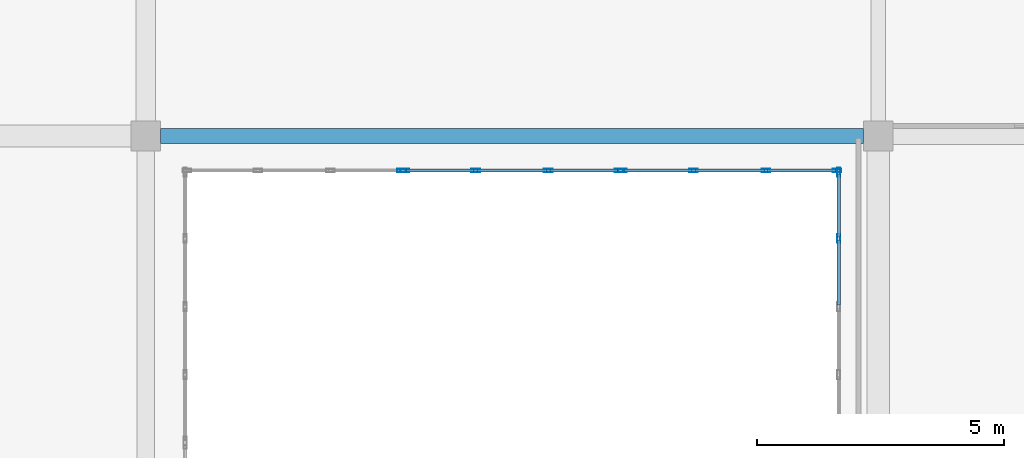
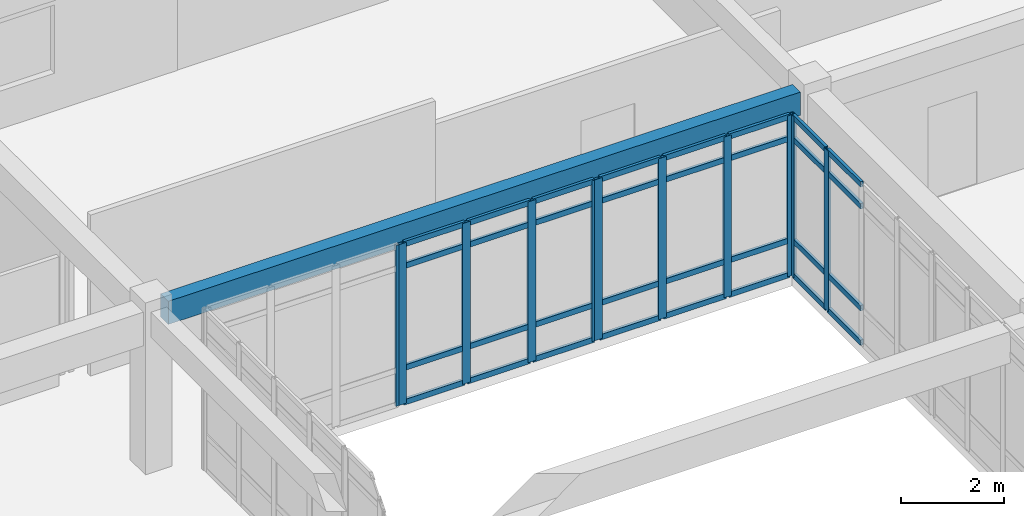
# One storey, part 103 of 146: 43 members, 1 beam, 4 elements without a shape of their own.
"""IFC4 building model written with IfcOpenShell, lengths in metres."""

from ifc_helpers import new_model, si_unit, direction, frame, origin, origin_2d, place, context, subcontext, project, spatial, rectangle, hollow_rectangle, extrude, material, layer, layer_set, material_profile, profile_set, type_object, element, aggregate, save


model = new_model("IFC4")

# Units and contexts
model_context = context("Model", 3, precision=1e-05, world=origin(), true_north=direction((0.0, 1.0)))
body_context = subcontext(model_context, "Body", "Model", "MODEL_VIEW")
ifc_project = project(units=[si_unit("LENGTHUNIT", "METRE"), si_unit("AREAUNIT", "SQUARE_METRE"), si_unit("VOLUMEUNIT", "CUBIC_METRE"), si_unit("PLANEANGLEUNIT", "RADIAN"), si_unit("MASSUNIT", "GRAM", prefix="KILO")], contexts=[model_context])

# Site, building, storey
site_placement = place(None, origin())
site = spatial("IfcSite", under=ifc_project, at=site_placement, CompositionType="ELEMENT")
building_placement = place(site_placement, origin())
building = spatial("IfcBuilding", under=site, at=building_placement, Name="Valcora Specialist Clinic", CompositionType="ELEMENT")
storey_placement = place(building_placement, frame((0.0, 0.0, 9.52001953125)))
storey = spatial("IfcBuildingStorey", under=building, at=storey_placement, Name="L02", CompositionType="ELEMENT", Elevation=9.52001953125)

# Beam
ifc_material_1 = material(Name="Concrete C40/50", Category="concrete")
ifc_material_profile_1 = material_profile(ifc_material_1, rectangle(XDim=0.300048828125, YDim=0.550048828125, at=origin_2d()), Name="RC-BM-300X550")
ifc_profile_set_1 = profile_set([ifc_material_profile_1], Name="Concrete C40/50")
beam_type = type_object("IfcBeamType", Name="TY-BM-RC300X550", PredefinedType="BEAM", material=ifc_profile_set_1)
beam_placement = place(storey_placement, frame((76.300048828125, 99.199951171875, 3.544921875), z_axis=(1.0, 0.0, 0.0), x_axis=(0.0, 1.0, 0.0)))
element("IfcBeam", 1, at=beam_placement, inside=storey, type_object=beam_type, Name="Beam BM-L02-0721", PredefinedType="BEAM", context=body_context, shape_type="SweptSolid", body=[
    extrude(rectangle(XDim=0.300048828125, YDim=0.550048828125, at=origin_2d()), origin(), (0.0, 0.0, 1.0), 14.199951171875),
])

# Curtain wall, members
ifc_material_2 = material(Name="Anodized Bronze Aluminium 6063-T6", Category="aluminium")
ifc_layer = layer(ifc_material_2, 0.175048828125)
ifc_layer_set = layer_set([ifc_layer], Name="Anodized Bronze Aluminium 6063-T6")
curtain_wall_type = type_object("IfcCurtainWallType", Name="TY-CW-CRT15", PredefinedType="NOTDEFINED", material=ifc_layer_set)
curtain_wall_1_placement = place(storey_placement, origin())
curtain_wall_1 = element("IfcCurtainWall", 2, at=curtain_wall_1_placement, inside=storey, type_object=curtain_wall_type, Name="Curtain wall CW-L02-098", PredefinedType="NOTDEFINED")
ifc_material_profile_2 = material_profile(ifc_material_2, hollow_rectangle(XDim=0.06494140625, YDim=0.175048828125, WallThickness=0.00390625, at=origin_2d()), Name="AL-MUL-65X175")
ifc_profile_set_2 = profile_set([ifc_material_profile_2], Name="Anodized Bronze Aluminium 6063-T6")
member_type_1 = type_object("IfcMemberType", Name="TY-CWM-65X175", PredefinedType="MULLION", material=ifc_profile_set_2)
member_1_placement = place(storey_placement, frame((90.0, 97.125, 0.0), z_axis=(0.0, 0.0, 1.0), x_axis=(-1.0, 0.0, 0.0)))
member_1 = element("IfcMember", 3, at=member_1_placement, type_object=member_type_1, Name="CW-CRT-15 mullion 4", PredefinedType="MULLION", context=body_context, shape_type="SweptSolid", body=[
    extrude(hollow_rectangle(XDim=0.06494140625, YDim=0.175048828125, WallThickness=0.00390625, at=origin_2d()), origin(), (0.0, 0.0, 1.0), 3.820068359375),
])
member_2_placement = place(storey_placement, frame((90.0, 98.467529296875, 0.0), z_axis=(0.0, 0.0, 1.0), x_axis=(-1.0, 0.0, 0.0)))
member_2 = element("IfcMember", 4, at=member_2_placement, type_object=member_type_1, Name="CW-CRT-15 mullion 5", PredefinedType="MULLION", context=body_context, shape_type="SweptSolid", body=[
    extrude(hollow_rectangle(XDim=0.06494140625, YDim=0.175048828125, WallThickness=0.00390625, at=origin_2d()), origin(), (0.0, 0.0, 1.0), 3.820068359375),
])

curtain_wall_2_placement = place(storey_placement, origin())
curtain_wall_2 = element("IfcCurtainWall", 5, at=curtain_wall_2_placement, inside=storey, type_object=curtain_wall_type, Name="Curtain wall CW-L02-099", PredefinedType="NOTDEFINED")
member_3_placement = place(storey_placement, frame((89.967529296875, 98.5, 0.0), z_axis=(0.0, 0.0, 1.0), x_axis=(0.0, -1.0, 0.0)))
member_3 = element("IfcMember", 6, at=member_3_placement, type_object=member_type_1, Name="CW-CRT-15 mullion 1", PredefinedType="MULLION", context=body_context, shape_type="SweptSolid", body=[
    extrude(hollow_rectangle(XDim=0.06494140625, YDim=0.175048828125, WallThickness=0.00390625, at=origin_2d()), origin(), (0.0, 0.0, 1.0), 3.820068359375),
])
member_4_placement = place(storey_placement, frame((88.533447265625, 98.5, 0.0), z_axis=(0.0, 0.0, 1.0), x_axis=(0.0, -1.0, 0.0)))
member_4 = element("IfcMember", 7, at=member_4_placement, type_object=member_type_1, Name="CW-CRT-15 mullion 2", PredefinedType="MULLION", context=body_context, shape_type="SweptSolid", body=[
    extrude(hollow_rectangle(XDim=0.06494140625, YDim=0.175048828125, WallThickness=0.00390625, at=origin_2d()), origin(), (0.0, 0.0, 1.0), 3.820068359375),
])
member_5_placement = place(storey_placement, frame((87.066650390625, 98.5, 0.0), z_axis=(0.0, 0.0, 1.0), x_axis=(0.0, -1.0, 0.0)))
member_5 = element("IfcMember", 8, at=member_5_placement, type_object=member_type_1, Name="CW-CRT-15 mullion 3", PredefinedType="MULLION", context=body_context, shape_type="SweptSolid", body=[
    extrude(hollow_rectangle(XDim=0.06494140625, YDim=0.175048828125, WallThickness=0.00390625, at=origin_2d()), origin(), (0.0, 0.0, 1.0), 3.820068359375),
])
member_6_placement = place(storey_placement, frame((85.632568359375, 98.5, 0.0), z_axis=(0.0, 0.0, 1.0), x_axis=(0.0, -1.0, 0.0)))
member_6 = element("IfcMember", 9, at=member_6_placement, type_object=member_type_1, Name="CW-CRT-15 mullion 4", PredefinedType="MULLION", context=body_context, shape_type="SweptSolid", body=[
    extrude(hollow_rectangle(XDim=0.06494140625, YDim=0.175048828125, WallThickness=0.00390625, at=origin_2d()), origin(), (0.0, 0.0, 1.0), 3.820068359375),
])

curtain_wall_3_placement = place(storey_placement, origin())
curtain_wall_3 = element("IfcCurtainWall", 10, at=curtain_wall_3_placement, inside=storey, type_object=curtain_wall_type, Name="Curtain wall CW-L02-100", PredefinedType="NOTDEFINED")
member_7_placement = place(storey_placement, frame((85.5673828125, 98.5, 0.0), z_axis=(0.0, 0.0, 1.0), x_axis=(0.0, -1.0, 0.0)))
member_7 = element("IfcMember", 11, at=member_7_placement, type_object=member_type_1, Name="CW-CRT-15 mullion 1", PredefinedType="MULLION", context=body_context, shape_type="SweptSolid", body=[
    extrude(hollow_rectangle(XDim=0.06494140625, YDim=0.175048828125, WallThickness=0.00390625, at=origin_2d()), origin(), (0.0, 0.0, 1.0), 3.820068359375),
])
member_8_placement = place(storey_placement, frame((84.13330078125, 98.5, 0.0), z_axis=(0.0, 0.0, 1.0), x_axis=(0.0, -1.0, 0.0)))
member_8 = element("IfcMember", 12, at=member_8_placement, type_object=member_type_1, Name="CW-CRT-15 mullion 2", PredefinedType="MULLION", context=body_context, shape_type="SweptSolid", body=[
    extrude(hollow_rectangle(XDim=0.06494140625, YDim=0.175048828125, WallThickness=0.00390625, at=origin_2d()), origin(), (0.0, 0.0, 1.0), 3.820068359375),
])
member_9_placement = place(storey_placement, frame((82.666748046875, 98.5, 0.0), z_axis=(0.0, 0.0, 1.0), x_axis=(0.0, -1.0, 0.0)))
member_9 = element("IfcMember", 13, at=member_9_placement, type_object=member_type_1, Name="CW-CRT-15 mullion 3", PredefinedType="MULLION", context=body_context, shape_type="SweptSolid", body=[
    extrude(hollow_rectangle(XDim=0.06494140625, YDim=0.175048828125, WallThickness=0.00390625, at=origin_2d()), origin(), (0.0, 0.0, 1.0), 3.820068359375),
])
member_10_placement = place(storey_placement, frame((81.232421875, 98.5, 0.0), z_axis=(0.0, 0.0, 1.0), x_axis=(0.0, -1.0, 0.0)))
member_10 = element("IfcMember", 14, at=member_10_placement, type_object=member_type_1, Name="CW-CRT-15 mullion 4", PredefinedType="MULLION", context=body_context, shape_type="SweptSolid", body=[
    extrude(hollow_rectangle(XDim=0.06494140625, YDim=0.175048828125, WallThickness=0.00390625, at=origin_2d()), origin(), (0.0, 0.0, 1.0), 3.820068359375),
])

# Curtain wall, member
curtain_wall_4_placement = place(storey_placement, origin())
curtain_wall_4 = element("IfcCurtainWall", 15, at=curtain_wall_4_placement, inside=storey, type_object=curtain_wall_type, Name="Curtain wall CW-L02-101", PredefinedType="NOTDEFINED")
member_11_placement = place(storey_placement, frame((81.16748046875, 98.5, 0.0), z_axis=(0.0, 0.0, 1.0), x_axis=(0.0, -1.0, 0.0)))
member_11 = element("IfcMember", 16, at=member_11_placement, type_object=member_type_1, Name="CW-CRT-15 mullion 1", PredefinedType="MULLION", context=body_context, shape_type="SweptSolid", body=[
    extrude(hollow_rectangle(XDim=0.06494140625, YDim=0.175048828125, WallThickness=0.00390625, at=origin_2d()), origin(), (0.0, 0.0, 1.0), 3.820068359375),
])
aggregate(curtain_wall_4, [member_11])

# Member
ifc_material_profile_3 = material_profile(ifc_material_2, hollow_rectangle(XDim=0.06494140625, YDim=0.1298828125, WallThickness=0.00390625, at=origin_2d()), Name="AL-TRN-65X130")
ifc_profile_set_3 = profile_set([ifc_material_profile_3], Name="Anodized Bronze Aluminium 6063-T6")
member_type_2 = type_object("IfcMemberType", Name="TY-CWT-65X130", PredefinedType="USERDEFINED", material=ifc_profile_set_3)
member_12_placement = place(storey_placement, frame((90.0, 95.782470703125, 0.032470703125), z_axis=(0.0, 1.0, 0.0), x_axis=(-1.0, 0.0, 0.0)))
member_12 = element("IfcMember", 17, at=member_12_placement, type_object=member_type_2, Name="CW-CRT-15 transom 3.1", ObjectType="TRANSOM", PredefinedType="USERDEFINED", context=body_context, shape_type="SweptSolid", body=[
    extrude(hollow_rectangle(XDim=0.06494140625, YDim=0.1298828125, WallThickness=0.00390625, at=origin_2d()), origin(), (0.0, 0.0, 1.0), 1.31005859375),
])

member_13_placement = place(storey_placement, frame((90.0, 95.782470703125, 0.85009765625), z_axis=(0.0, 1.0, 0.0), x_axis=(-1.0, 0.0, 0.0)))
member_13 = element("IfcMember", 18, at=member_13_placement, type_object=member_type_2, Name="CW-CRT-15 transom 3.2", ObjectType="TRANSOM", PredefinedType="USERDEFINED", context=body_context, shape_type="SweptSolid", body=[
    extrude(hollow_rectangle(XDim=0.06494140625, YDim=0.1298828125, WallThickness=0.00390625, at=origin_2d()), origin(), (0.0, 0.0, 1.0), 1.31005859375),
])

member_14_placement = place(storey_placement, frame((90.0, 95.782470703125, 3.27001953125), z_axis=(0.0, 1.0, 0.0), x_axis=(-1.0, 0.0, 0.0)))
member_14 = element("IfcMember", 19, at=member_14_placement, type_object=member_type_2, Name="CW-CRT-15 transom 3.3", ObjectType="TRANSOM", PredefinedType="USERDEFINED", context=body_context, shape_type="SweptSolid", body=[
    extrude(hollow_rectangle(XDim=0.06494140625, YDim=0.1298828125, WallThickness=0.00390625, at=origin_2d()), origin(), (0.0, 0.0, 1.0), 1.31005859375),
])

member_15_placement = place(storey_placement, frame((90.0, 95.782470703125, 3.78759765625), z_axis=(0.0, 1.0, 0.0), x_axis=(-1.0, 0.0, 0.0)))
member_15 = element("IfcMember", 20, at=member_15_placement, type_object=member_type_2, Name="CW-CRT-15 transom 3.4", ObjectType="TRANSOM", PredefinedType="USERDEFINED", context=body_context, shape_type="SweptSolid", body=[
    extrude(hollow_rectangle(XDim=0.06494140625, YDim=0.1298828125, WallThickness=0.00390625, at=origin_2d()), origin(), (0.0, 0.0, 1.0), 1.31005859375),
])

member_16_placement = place(storey_placement, frame((90.0, 97.157470703125, 0.032470703125), z_axis=(0.0, 1.0, 0.0), x_axis=(-1.0, 0.0, 0.0)))
member_16 = element("IfcMember", 21, at=member_16_placement, type_object=member_type_2, Name="CW-CRT-15 transom 4.1", ObjectType="TRANSOM", PredefinedType="USERDEFINED", context=body_context, shape_type="SweptSolid", body=[
    extrude(hollow_rectangle(XDim=0.06494140625, YDim=0.1298828125, WallThickness=0.00390625, at=origin_2d()), origin(), (0.0, 0.0, 1.0), 1.277587890625),
])

member_17_placement = place(storey_placement, frame((90.0, 97.157470703125, 0.85009765625), z_axis=(0.0, 1.0, 0.0), x_axis=(-1.0, 0.0, 0.0)))
member_17 = element("IfcMember", 22, at=member_17_placement, type_object=member_type_2, Name="CW-CRT-15 transom 4.2", ObjectType="TRANSOM", PredefinedType="USERDEFINED", context=body_context, shape_type="SweptSolid", body=[
    extrude(hollow_rectangle(XDim=0.06494140625, YDim=0.1298828125, WallThickness=0.00390625, at=origin_2d()), origin(), (0.0, 0.0, 1.0), 1.277587890625),
])

member_18_placement = place(storey_placement, frame((90.0, 97.157470703125, 3.27001953125), z_axis=(0.0, 1.0, 0.0), x_axis=(-1.0, 0.0, 0.0)))
member_18 = element("IfcMember", 23, at=member_18_placement, type_object=member_type_2, Name="CW-CRT-15 transom 4.3", ObjectType="TRANSOM", PredefinedType="USERDEFINED", context=body_context, shape_type="SweptSolid", body=[
    extrude(hollow_rectangle(XDim=0.06494140625, YDim=0.1298828125, WallThickness=0.00390625, at=origin_2d()), origin(), (0.0, 0.0, 1.0), 1.277587890625),
])

member_19_placement = place(storey_placement, frame((90.0, 97.157470703125, 3.78759765625), z_axis=(0.0, 1.0, 0.0), x_axis=(-1.0, 0.0, 0.0)))
member_19 = element("IfcMember", 24, at=member_19_placement, type_object=member_type_2, Name="CW-CRT-15 transom 4.4", ObjectType="TRANSOM", PredefinedType="USERDEFINED", context=body_context, shape_type="SweptSolid", body=[
    extrude(hollow_rectangle(XDim=0.06494140625, YDim=0.1298828125, WallThickness=0.00390625, at=origin_2d()), origin(), (0.0, 0.0, 1.0), 1.277587890625),
])

aggregate(curtain_wall_1, [member_1, member_2, member_12, member_13, member_14, member_15, member_16, member_17, member_18, member_19])

member_20_placement = place(storey_placement, frame((89.93505859375, 98.5, 0.032470703125), z_axis=(-1.0, 0.0, 0.0), x_axis=(0.0, -1.0, 0.0)))
member_20 = element("IfcMember", 25, at=member_20_placement, type_object=member_type_2, Name="CW-CRT-15 transom 1.1", ObjectType="TRANSOM", PredefinedType="USERDEFINED", context=body_context, shape_type="SweptSolid", body=[
    extrude(hollow_rectangle(XDim=0.06494140625, YDim=0.1298828125, WallThickness=0.00390625, at=origin_2d()), origin(), (0.0, 0.0, 1.0), 1.369140625),
])

member_21_placement = place(storey_placement, frame((89.93505859375, 98.5, 0.85009765625), z_axis=(-1.0, 0.0, 0.0), x_axis=(0.0, -1.0, 0.0)))
member_21 = element("IfcMember", 26, at=member_21_placement, type_object=member_type_2, Name="CW-CRT-15 transom 1.2", ObjectType="TRANSOM", PredefinedType="USERDEFINED", context=body_context, shape_type="SweptSolid", body=[
    extrude(hollow_rectangle(XDim=0.06494140625, YDim=0.1298828125, WallThickness=0.00390625, at=origin_2d()), origin(), (0.0, 0.0, 1.0), 1.369140625),
])

member_22_placement = place(storey_placement, frame((89.93505859375, 98.5, 3.27001953125), z_axis=(-1.0, 0.0, 0.0), x_axis=(0.0, -1.0, 0.0)))
member_22 = element("IfcMember", 27, at=member_22_placement, type_object=member_type_2, Name="CW-CRT-15 transom 1.3", ObjectType="TRANSOM", PredefinedType="USERDEFINED", context=body_context, shape_type="SweptSolid", body=[
    extrude(hollow_rectangle(XDim=0.06494140625, YDim=0.1298828125, WallThickness=0.00390625, at=origin_2d()), origin(), (0.0, 0.0, 1.0), 1.369140625),
])

member_23_placement = place(storey_placement, frame((89.93505859375, 98.5, 3.78759765625), z_axis=(-1.0, 0.0, 0.0), x_axis=(0.0, -1.0, 0.0)))
member_23 = element("IfcMember", 28, at=member_23_placement, type_object=member_type_2, Name="CW-CRT-15 transom 1.4", ObjectType="TRANSOM", PredefinedType="USERDEFINED", context=body_context, shape_type="SweptSolid", body=[
    extrude(hollow_rectangle(XDim=0.06494140625, YDim=0.1298828125, WallThickness=0.00390625, at=origin_2d()), origin(), (0.0, 0.0, 1.0), 1.369140625),
])

member_24_placement = place(storey_placement, frame((88.500732421875, 98.5, 0.032470703125), z_axis=(-1.0, 0.0, 0.0), x_axis=(0.0, -1.0, 0.0)))
member_24 = element("IfcMember", 29, at=member_24_placement, type_object=member_type_2, Name="CW-CRT-15 transom 2.1", ObjectType="TRANSOM", PredefinedType="USERDEFINED", context=body_context, shape_type="SweptSolid", body=[
    extrude(hollow_rectangle(XDim=0.06494140625, YDim=0.1298828125, WallThickness=0.00390625, at=origin_2d()), origin(), (0.0, 0.0, 1.0), 1.401611328125),
])

member_25_placement = place(storey_placement, frame((88.500732421875, 98.5, 0.85009765625), z_axis=(-1.0, 0.0, 0.0), x_axis=(0.0, -1.0, 0.0)))
member_25 = element("IfcMember", 30, at=member_25_placement, type_object=member_type_2, Name="CW-CRT-15 transom 2.2", ObjectType="TRANSOM", PredefinedType="USERDEFINED", context=body_context, shape_type="SweptSolid", body=[
    extrude(hollow_rectangle(XDim=0.06494140625, YDim=0.1298828125, WallThickness=0.00390625, at=origin_2d()), origin(), (0.0, 0.0, 1.0), 1.401611328125),
])

member_26_placement = place(storey_placement, frame((88.500732421875, 98.5, 3.27001953125), z_axis=(-1.0, 0.0, 0.0), x_axis=(0.0, -1.0, 0.0)))
member_26 = element("IfcMember", 31, at=member_26_placement, type_object=member_type_2, Name="CW-CRT-15 transom 2.3", ObjectType="TRANSOM", PredefinedType="USERDEFINED", context=body_context, shape_type="SweptSolid", body=[
    extrude(hollow_rectangle(XDim=0.06494140625, YDim=0.1298828125, WallThickness=0.00390625, at=origin_2d()), origin(), (0.0, 0.0, 1.0), 1.401611328125),
])

member_27_placement = place(storey_placement, frame((88.500732421875, 98.5, 3.78759765625), z_axis=(-1.0, 0.0, 0.0), x_axis=(0.0, -1.0, 0.0)))
member_27 = element("IfcMember", 32, at=member_27_placement, type_object=member_type_2, Name="CW-CRT-15 transom 2.4", ObjectType="TRANSOM", PredefinedType="USERDEFINED", context=body_context, shape_type="SweptSolid", body=[
    extrude(hollow_rectangle(XDim=0.06494140625, YDim=0.1298828125, WallThickness=0.00390625, at=origin_2d()), origin(), (0.0, 0.0, 1.0), 1.401611328125),
])

member_28_placement = place(storey_placement, frame((87.0341796875, 98.5, 0.032470703125), z_axis=(-1.0, 0.0, 0.0), x_axis=(0.0, -1.0, 0.0)))
member_28 = element("IfcMember", 33, at=member_28_placement, type_object=member_type_2, Name="CW-CRT-15 transom 3.1", ObjectType="TRANSOM", PredefinedType="USERDEFINED", context=body_context, shape_type="SweptSolid", body=[
    extrude(hollow_rectangle(XDim=0.06494140625, YDim=0.1298828125, WallThickness=0.00390625, at=origin_2d()), origin(), (0.0, 0.0, 1.0), 1.369140625),
])

member_29_placement = place(storey_placement, frame((87.0341796875, 98.5, 0.85009765625), z_axis=(-1.0, 0.0, 0.0), x_axis=(0.0, -1.0, 0.0)))
member_29 = element("IfcMember", 34, at=member_29_placement, type_object=member_type_2, Name="CW-CRT-15 transom 3.2", ObjectType="TRANSOM", PredefinedType="USERDEFINED", context=body_context, shape_type="SweptSolid", body=[
    extrude(hollow_rectangle(XDim=0.06494140625, YDim=0.1298828125, WallThickness=0.00390625, at=origin_2d()), origin(), (0.0, 0.0, 1.0), 1.369140625),
])

member_30_placement = place(storey_placement, frame((87.0341796875, 98.5, 3.27001953125), z_axis=(-1.0, 0.0, 0.0), x_axis=(0.0, -1.0, 0.0)))
member_30 = element("IfcMember", 35, at=member_30_placement, type_object=member_type_2, Name="CW-CRT-15 transom 3.3", ObjectType="TRANSOM", PredefinedType="USERDEFINED", context=body_context, shape_type="SweptSolid", body=[
    extrude(hollow_rectangle(XDim=0.06494140625, YDim=0.1298828125, WallThickness=0.00390625, at=origin_2d()), origin(), (0.0, 0.0, 1.0), 1.369140625),
])

member_31_placement = place(storey_placement, frame((87.0341796875, 98.5, 3.78759765625), z_axis=(-1.0, 0.0, 0.0), x_axis=(0.0, -1.0, 0.0)))
member_31 = element("IfcMember", 36, at=member_31_placement, type_object=member_type_2, Name="CW-CRT-15 transom 3.4", ObjectType="TRANSOM", PredefinedType="USERDEFINED", context=body_context, shape_type="SweptSolid", body=[
    extrude(hollow_rectangle(XDim=0.06494140625, YDim=0.1298828125, WallThickness=0.00390625, at=origin_2d()), origin(), (0.0, 0.0, 1.0), 1.369140625),
])

aggregate(curtain_wall_2, [member_3, member_4, member_5, member_6, member_20, member_21, member_22, member_23, member_24, member_25, member_26, member_27, member_28, member_29, member_30, member_31])

member_32_placement = place(storey_placement, frame((85.534912109375, 98.5, 0.032470703125), z_axis=(-1.0, 0.0, 0.0), x_axis=(0.0, -1.0, 0.0)))
member_32 = element("IfcMember", 37, at=member_32_placement, type_object=member_type_2, Name="CW-CRT-15 transom 1.1", ObjectType="TRANSOM", PredefinedType="USERDEFINED", context=body_context, shape_type="SweptSolid", body=[
    extrude(hollow_rectangle(XDim=0.06494140625, YDim=0.1298828125, WallThickness=0.00390625, at=origin_2d()), origin(), (0.0, 0.0, 1.0), 1.369140625),
])

member_33_placement = place(storey_placement, frame((85.534912109375, 98.5, 0.85009765625), z_axis=(-1.0, 0.0, 0.0), x_axis=(0.0, -1.0, 0.0)))
member_33 = element("IfcMember", 38, at=member_33_placement, type_object=member_type_2, Name="CW-CRT-15 transom 1.2", ObjectType="TRANSOM", PredefinedType="USERDEFINED", context=body_context, shape_type="SweptSolid", body=[
    extrude(hollow_rectangle(XDim=0.06494140625, YDim=0.1298828125, WallThickness=0.00390625, at=origin_2d()), origin(), (0.0, 0.0, 1.0), 1.369140625),
])

member_34_placement = place(storey_placement, frame((85.534912109375, 98.5, 3.27001953125), z_axis=(-1.0, 0.0, 0.0), x_axis=(0.0, -1.0, 0.0)))
member_34 = element("IfcMember", 39, at=member_34_placement, type_object=member_type_2, Name="CW-CRT-15 transom 1.3", ObjectType="TRANSOM", PredefinedType="USERDEFINED", context=body_context, shape_type="SweptSolid", body=[
    extrude(hollow_rectangle(XDim=0.06494140625, YDim=0.1298828125, WallThickness=0.00390625, at=origin_2d()), origin(), (0.0, 0.0, 1.0), 1.369140625),
])

member_35_placement = place(storey_placement, frame((85.534912109375, 98.5, 3.78759765625), z_axis=(-1.0, 0.0, 0.0), x_axis=(0.0, -1.0, 0.0)))
member_35 = element("IfcMember", 40, at=member_35_placement, type_object=member_type_2, Name="CW-CRT-15 transom 1.4", ObjectType="TRANSOM", PredefinedType="USERDEFINED", context=body_context, shape_type="SweptSolid", body=[
    extrude(hollow_rectangle(XDim=0.06494140625, YDim=0.1298828125, WallThickness=0.00390625, at=origin_2d()), origin(), (0.0, 0.0, 1.0), 1.369140625),
])

member_36_placement = place(storey_placement, frame((84.100830078125, 98.5, 0.032470703125), z_axis=(-1.0, 0.0, 0.0), x_axis=(0.0, -1.0, 0.0)))
member_36 = element("IfcMember", 41, at=member_36_placement, type_object=member_type_2, Name="CW-CRT-15 transom 2.1", ObjectType="TRANSOM", PredefinedType="USERDEFINED", context=body_context, shape_type="SweptSolid", body=[
    extrude(hollow_rectangle(XDim=0.06494140625, YDim=0.1298828125, WallThickness=0.00390625, at=origin_2d()), origin(), (0.0, 0.0, 1.0), 1.401611328125),
])

member_37_placement = place(storey_placement, frame((84.100830078125, 98.5, 0.85009765625), z_axis=(-1.0, 0.0, 0.0), x_axis=(0.0, -1.0, 0.0)))
member_37 = element("IfcMember", 42, at=member_37_placement, type_object=member_type_2, Name="CW-CRT-15 transom 2.2", ObjectType="TRANSOM", PredefinedType="USERDEFINED", context=body_context, shape_type="SweptSolid", body=[
    extrude(hollow_rectangle(XDim=0.06494140625, YDim=0.1298828125, WallThickness=0.00390625, at=origin_2d()), origin(), (0.0, 0.0, 1.0), 1.401611328125),
])

member_38_placement = place(storey_placement, frame((84.100830078125, 98.5, 3.27001953125), z_axis=(-1.0, 0.0, 0.0), x_axis=(0.0, -1.0, 0.0)))
member_38 = element("IfcMember", 43, at=member_38_placement, type_object=member_type_2, Name="CW-CRT-15 transom 2.3", ObjectType="TRANSOM", PredefinedType="USERDEFINED", context=body_context, shape_type="SweptSolid", body=[
    extrude(hollow_rectangle(XDim=0.06494140625, YDim=0.1298828125, WallThickness=0.00390625, at=origin_2d()), origin(), (0.0, 0.0, 1.0), 1.401611328125),
])

member_39_placement = place(storey_placement, frame((84.100830078125, 98.5, 3.78759765625), z_axis=(-1.0, 0.0, 0.0), x_axis=(0.0, -1.0, 0.0)))
member_39 = element("IfcMember", 44, at=member_39_placement, type_object=member_type_2, Name="CW-CRT-15 transom 2.4", ObjectType="TRANSOM", PredefinedType="USERDEFINED", context=body_context, shape_type="SweptSolid", body=[
    extrude(hollow_rectangle(XDim=0.06494140625, YDim=0.1298828125, WallThickness=0.00390625, at=origin_2d()), origin(), (0.0, 0.0, 1.0), 1.401611328125),
])

member_40_placement = place(storey_placement, frame((82.63427734375, 98.5, 0.032470703125), z_axis=(-1.0, 0.0, 0.0), x_axis=(0.0, -1.0, 0.0)))
member_40 = element("IfcMember", 45, at=member_40_placement, type_object=member_type_2, Name="CW-CRT-15 transom 3.1", ObjectType="TRANSOM", PredefinedType="USERDEFINED", context=body_context, shape_type="SweptSolid", body=[
    extrude(hollow_rectangle(XDim=0.06494140625, YDim=0.1298828125, WallThickness=0.00390625, at=origin_2d()), origin(), (0.0, 0.0, 1.0), 1.369384765625),
])

member_41_placement = place(storey_placement, frame((82.63427734375, 98.5, 0.85009765625), z_axis=(-1.0, 0.0, 0.0), x_axis=(0.0, -1.0, 0.0)))
member_41 = element("IfcMember", 46, at=member_41_placement, type_object=member_type_2, Name="CW-CRT-15 transom 3.2", ObjectType="TRANSOM", PredefinedType="USERDEFINED", context=body_context, shape_type="SweptSolid", body=[
    extrude(hollow_rectangle(XDim=0.06494140625, YDim=0.1298828125, WallThickness=0.00390625, at=origin_2d()), origin(), (0.0, 0.0, 1.0), 1.369384765625),
])

member_42_placement = place(storey_placement, frame((82.63427734375, 98.5, 3.27001953125), z_axis=(-1.0, 0.0, 0.0), x_axis=(0.0, -1.0, 0.0)))
member_42 = element("IfcMember", 47, at=member_42_placement, type_object=member_type_2, Name="CW-CRT-15 transom 3.3", ObjectType="TRANSOM", PredefinedType="USERDEFINED", context=body_context, shape_type="SweptSolid", body=[
    extrude(hollow_rectangle(XDim=0.06494140625, YDim=0.1298828125, WallThickness=0.00390625, at=origin_2d()), origin(), (0.0, 0.0, 1.0), 1.369384765625),
])

member_43_placement = place(storey_placement, frame((82.63427734375, 98.5, 3.78759765625), z_axis=(-1.0, 0.0, 0.0), x_axis=(0.0, -1.0, 0.0)))
member_43 = element("IfcMember", 48, at=member_43_placement, type_object=member_type_2, Name="CW-CRT-15 transom 3.4", ObjectType="TRANSOM", PredefinedType="USERDEFINED", context=body_context, shape_type="SweptSolid", body=[
    extrude(hollow_rectangle(XDim=0.06494140625, YDim=0.1298828125, WallThickness=0.00390625, at=origin_2d()), origin(), (0.0, 0.0, 1.0), 1.369384765625),
])

aggregate(curtain_wall_3, [member_7, member_8, member_9, member_10, member_32, member_33, member_34, member_35, member_36, member_37, member_38, member_39, member_40, member_41, member_42, member_43])

save(model, "model.ifc")
